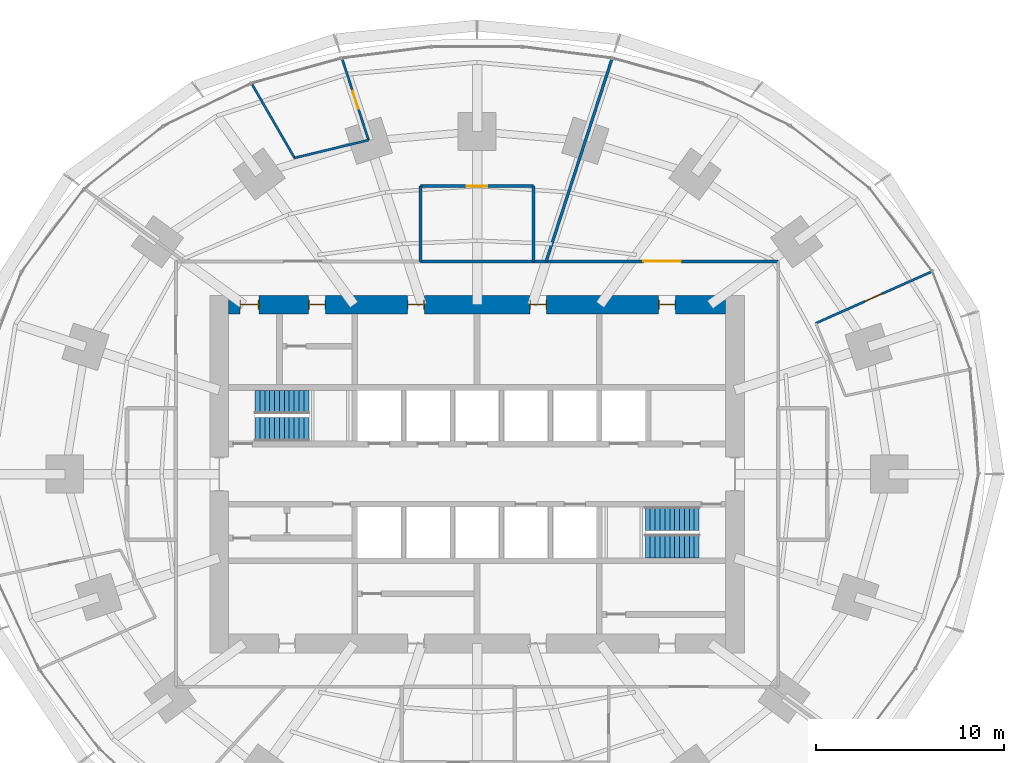
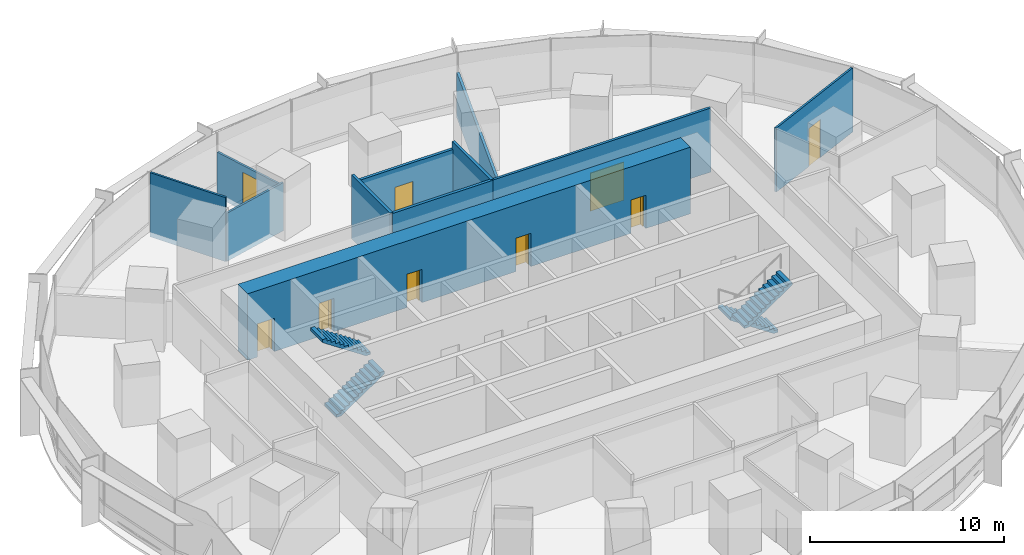
# One storey, part 13 of 15: 11 walls, 9 doors, 4 stair flights, 9 openings, 2 elements without a shape of their own.
"""IFC4 building model written with IfcOpenShell, lengths in metres."""

import ifcopenshell
import ifcopenshell.guid

model = None  # the IFC model being written
_history = None  # IfcOwnerHistory: only IFC2X3 demands one
_inside = {}  # id of a spatial element -> (the spatial element, [elements in it])
_under = {}  # id of a project, library or spatial element -> (it, [spatial elements below it])
_declared = {}  # id of a project -> (the project, [libraries it declares])
_typed = {}  # id of a type object -> (the type object, [elements of that type])
_made_of = {}  # id of a material, layer set ... -> (it, [elements and type objects made of it])


def new_model(schema):
    """Start an empty IFC model of exactly this schema.

    Asked for "IFC4X3", IfcOpenShell would pick the latest addendum, in which some entities
    have other attributes; the version numbers below select the first issue.
    IFC2X3 requires an IfcOwnerHistory on every rooted entity: one is made here for all.
    """
    global model, _history
    if schema == "IFC4X3":
        model = ifcopenshell.file(schema_version=(4, 3, 0, 0))
    else:
        model = ifcopenshell.file(schema=schema)
    _inside.clear()
    _under.clear()
    _declared.clear()
    _typed.clear()
    _made_of.clear()
    _history = None
    if model.schema == "IFC2X3":
        org = make("IfcOrganization", Name="unknown")
        user = make(
            "IfcPersonAndOrganization",
            ThePerson=make("IfcPerson", FamilyName="unknown"),
            TheOrganization=org,
        )
        app = make(
            "IfcApplication",
            ApplicationDeveloper=org,
            Version="unknown",
            ApplicationFullName="unknown",
            ApplicationIdentifier="unknown",
        )
        _history = make(
            "IfcOwnerHistory",
            OwningUser=user,
            OwningApplication=app,
            ChangeAction="ADDED",
            CreationDate=0,
        )
    return model


def make(cls, **values):
    """One entity of the class cls with the attributes given. An attribute that is None is left unset."""
    return model.create_entity(
        cls, **{name: value for name, value in values.items() if value is not None}
    )


def rooted(cls, **values):
    """An entity with a GlobalId (a new one), such as an element, a storey or a relation."""
    return make(cls, GlobalId=ifcopenshell.guid.new(), OwnerHistory=_history, **values)


def si_unit(unit_type, name, prefix=None):
    """IfcSIUnit, for example si_unit("LENGTHUNIT", "METRE", prefix="MILLI")."""
    return make("IfcSIUnit", UnitType=unit_type, Prefix=prefix, Name=name)


def assignment(units):
    """IfcUnitAssignment: the units of a project."""
    return None if units is None else make("IfcUnitAssignment", Units=units)


def point(xyz):
    """IfcCartesianPoint."""
    return None if xyz is None else make("IfcCartesianPoint", Coordinates=xyz)


def direction(xyz):
    """IfcDirection."""
    return None if xyz is None else make("IfcDirection", DirectionRatios=xyz)


def frame(location, z_axis=None, x_axis=None):
    """IfcAxis2Placement3D, a coordinate frame: its origin and axes. An axis left out is left unset."""
    return make(
        "IfcAxis2Placement3D",
        Location=point(location),
        Axis=direction(z_axis),
        RefDirection=direction(x_axis),
    )


def frame_2d(location, x_axis=None):
    """IfcAxis2Placement2D, a coordinate frame in the plane: its origin and x axis."""
    return make(
        "IfcAxis2Placement2D", Location=point(location), RefDirection=direction(x_axis)
    )


def origin():
    """The frame at (0, 0, 0) with its axes left unset."""
    return frame((0.0, 0.0, 0.0))


def place(relative_to, where):
    """IfcLocalPlacement: puts the frame where relative to a parent placement (None: the world)."""
    return make(
        "IfcLocalPlacement", PlacementRelTo=relative_to, RelativePlacement=where
    )


def context(
    kind, dimensions, precision=None, world=None, true_north=None, identifier=None
):
    """IfcGeometricRepresentationContext, for example the 3D "Model" context."""
    return make(
        "IfcGeometricRepresentationContext",
        ContextIdentifier=identifier,
        ContextType=kind,
        CoordinateSpaceDimension=dimensions,
        Precision=precision,
        WorldCoordinateSystem=world,
        TrueNorth=true_north,
    )


def subcontext(parent, identifier, kind, view, scale=None):
    """IfcGeometricRepresentationSubContext, for example "Body" below "Model"."""
    return make(
        "IfcGeometricRepresentationSubContext",
        ContextIdentifier=identifier,
        ContextType=kind,
        ParentContext=parent,
        TargetScale=scale,
        TargetView=view,
    )


def project(units=None, contexts=None):
    """IfcProject with its units and contexts."""
    return rooted(
        "IfcProject",
        Name="project",
        RepresentationContexts=contexts,
        UnitsInContext=assignment(units),
    )


def spatial(cls, under=None, at=None, **own):
    """A site, building, storey or space (cls), placed at a placement, below another one or the project."""
    s = rooted(cls, ObjectPlacement=at, **own)
    if under is not None:
        _under.setdefault(under.id(), (under, []))[1].append(s)
    return s


def polyline(points):
    """IfcPolyline through the points."""
    return make("IfcPolyline", Points=[point(p) for p in points])


def profile(cls, at=None, kind="AREA", **sizes):
    """A parametric profile (cls). Its sizes go by their IFC names, for example OverallWidth=200.0."""
    return make(cls, ProfileType=kind, Position=at, **sizes)


def rectangle(**sizes):
    """IfcRectangleProfileDef."""
    return profile("IfcRectangleProfileDef", **sizes)


def outline(outer, holes=None, kind="AREA"):
    """IfcArbitraryClosedProfileDef: a profile drawn as a closed curve; with holes, ...WithVoids."""
    if holes is None:
        return make("IfcArbitraryClosedProfileDef", ProfileType=kind, OuterCurve=outer)
    return make(
        "IfcArbitraryProfileDefWithVoids",
        ProfileType=kind,
        OuterCurve=outer,
        InnerCurves=holes,
    )


def extrude(swept, where, along, depth):
    """IfcExtrudedAreaSolid: the profile swept, set in the frame where, extruded along a direction by depth."""
    return make(
        "IfcExtrudedAreaSolid",
        SweptArea=swept,
        Position=where,
        ExtrudedDirection=direction(along),
        Depth=depth,
    )


def shape(context_of_items, identifier, shape_type, items):
    """IfcShapeRepresentation: the items that make up one representation, for example the "Body"."""
    return make(
        "IfcShapeRepresentation",
        ContextOfItems=context_of_items,
        RepresentationIdentifier=identifier,
        RepresentationType=shape_type,
        Items=items,
    )


def material(Name=None, Category=None):
    """IfcMaterial."""
    return make("IfcMaterial", Name=Name, Category=Category)


def layer(
    of_material, thickness, ventilated=None, Name=None, Category=None, Priority=None
):
    """IfcMaterialLayer: one layer of a wall or slab, of a material (None: an air gap)."""
    return make(
        "IfcMaterialLayer",
        Material=of_material,
        LayerThickness=thickness,
        IsVentilated=ventilated,
        Name=Name,
        Category=Category,
        Priority=Priority,
    )


def layer_set(layers, Name=None):
    """IfcMaterialLayerSet."""
    return make("IfcMaterialLayerSet", MaterialLayers=layers, LayerSetName=Name)


def made_of(thing, what):
    """Note that an element or type object is made of a material, layer set ...; save() writes the relation."""
    if what is not None:
        _made_of.setdefault(what.id(), (what, []))[1].append(thing)
    return thing


def type_object(cls, material=None, **own):
    """A type object (cls), such as IfcWallType, which elements share."""
    return made_of(rooted(cls, **own), material)


def element(
    cls,
    number,
    at=None,
    inside=None,
    cuts=None,
    type_object=None,
    material=None,
    context=None,
    identifier="Body",
    shape_type=None,
    held_by="IfcProductDefinitionShape",
    body=None,
    shapes=None,
    **own,
):
    """One element of the class cls, such as IfcWall. Its Tag is "e" and its number.

    at: its placement. inside: the storey or other place that contains it. cuts: it is an
    opening in that element (IfcRelVoidsElement). A single representation is given by context,
    identifier, shape_type and body (its items); several are given by shapes. held_by: the class
    of the entity that holds the representations. save() writes the other relations.
    """
    e = rooted(cls, Tag="e%d" % number, ObjectPlacement=at, **own)
    if body is not None:
        shapes = [shape(context, identifier, shape_type, body)]
    if shapes is not None:
        e.Representation = make(held_by, Representations=shapes)
    if inside is not None:
        _inside.setdefault(inside.id(), (inside, []))[1].append(e)
    if cuts is not None:
        rooted(
            "IfcRelVoidsElement", RelatingBuildingElement=cuts, RelatedOpeningElement=e
        )
    if type_object is not None:
        _typed.setdefault(type_object.id(), (type_object, []))[1].append(e)
    return made_of(e, material)


def fill(opening, filler):
    """IfcRelFillsElement: the door or window that sits in an opening."""
    return rooted(
        "IfcRelFillsElement",
        RelatingOpeningElement=opening,
        RelatedBuildingElement=filler,
    )


def aggregate(whole, parts):
    """IfcRelAggregates: a whole, such as a stair, and the parts it consists of."""
    return rooted("IfcRelAggregates", RelatingObject=whole, RelatedObjects=parts)


def save(model, path):
    """Write the relations noted so far, then the file.

    IfcRelAggregates (storeys below a building ...), IfcRelContainedInSpatialStructure (elements
    in a storey), IfcRelDefinesByType, IfcRelAssociatesMaterial and IfcRelDeclares: one each for
    every whole, place, type object, material and project.
    """
    for whole, parts in _under.values():
        aggregate(whole, parts)
    for where, things in _inside.values():
        rooted(
            "IfcRelContainedInSpatialStructure",
            RelatedElements=things,
            RelatingStructure=where,
        )
    for kind, things in _typed.values():
        rooted("IfcRelDefinesByType", RelatedObjects=things, RelatingType=kind)
    for what, things in _made_of.values():
        rooted("IfcRelAssociatesMaterial", RelatedObjects=things, RelatingMaterial=what)
    for by, libraries in _declared.values():
        rooted("IfcRelDeclares", RelatingContext=by, RelatedDefinitions=libraries)
    model.write(path)


model = new_model("IFC4")

# Units and contexts
model_context = context("Model", 3, precision=1e-05, world=origin(), true_north=direction((0.0, 1.0)))
body_context = subcontext(model_context, "Body", "Model", "MODEL_VIEW")
ifc_project = project(units=[si_unit("LENGTHUNIT", "METRE"), si_unit("AREAUNIT", "SQUARE_METRE"), si_unit("VOLUMEUNIT", "CUBIC_METRE"), si_unit("PLANEANGLEUNIT", "RADIAN"), si_unit("MASSUNIT", "GRAM", prefix="KILO")], contexts=[model_context])

# Site, building, storey
site_placement = place(None, origin())
site = spatial("IfcSite", under=ifc_project, at=site_placement, CompositionType="ELEMENT")
building_placement = place(site_placement, origin())
building = spatial("IfcBuilding", under=site, at=building_placement, Name="Marramba Exchange Tower", CompositionType="ELEMENT")
storey_placement = place(building_placement, frame((0.0, 0.0, 65.800048828125)))
storey = spatial("IfcBuildingStorey", under=building, at=storey_placement, Name="L15", CompositionType="ELEMENT", Elevation=65.800048828125)

# Walls
ifc_material_1 = material(Name="Plasterboard on staggered double steel studs, acoustic insulation", Category="steel")
ifc_layer_1 = layer(ifc_material_1, 0.169921875)
ifc_layer_set_1 = layer_set([ifc_layer_1], Name="Acoustic partition 170")
wall_type_1 = type_object("IfcWallType", Name="Acoustic partition 170", PredefinedType="PARTITIONING", material=ifc_layer_set_1)
wall_1_placement = place(storey_placement, frame((3.0, 11.300048828125, 0.0), z_axis=(0.0, 0.0, 1.0), x_axis=(0.0, 1.0, 0.0)))
element("IfcWall", 1, at=wall_1_placement, inside=storey, type_object=wall_type_1, Name="Acoustic partition L15 30", PredefinedType="PARTITIONING", context=body_context, shape_type="SweptSolid", body=[
    extrude(rectangle(XDim=4.0, YDim=0.169921875, at=frame_2d((2.0, 0.0))), origin(), (0.0, 0.0, 1.0), 4.0400390625),
])
wall_2_placement = place(storey_placement, frame((-3.0, 11.300048828125, 0.0), z_axis=(0.0, 0.0, 1.0), x_axis=(1.0, 0.0, 0.0)))
element("IfcWall", 2, at=wall_2_placement, inside=storey, type_object=wall_type_1, Name="Acoustic partition L15 31", PredefinedType="PARTITIONING", context=body_context, shape_type="SweptSolid", body=[
    extrude(rectangle(XDim=6.0, YDim=0.169921875, at=frame_2d((3.0, 0.0))), origin(), (0.0, 0.0, 1.0), 4.0400390625),
])

# Wall, opening, door
wall_3_placement = place(storey_placement, frame((3.0, 15.300048828125, 0.0), z_axis=(0.0, 0.0, 1.0), x_axis=(-1.0, 0.0, 0.0)))
wall_3 = element("IfcWall", 3, at=wall_3_placement, inside=storey, type_object=wall_type_1, Name="Acoustic partition L15 32", PredefinedType="PARTITIONING", context=body_context, shape_type="SweptSolid", body=[
    extrude(rectangle(XDim=6.0, YDim=0.169921875, at=frame_2d((3.0, 0.0))), origin(), (0.0, 0.0, 1.0), 3.5859375),
])
opening_1_placement = place(wall_3_placement, frame((2.449951171875, 0.0, 0.0)))
opening_1 = element("IfcOpeningElement", 4, at=opening_1_placement, cuts=wall_3, Name="Opening D15", PredefinedType="OPENING", context=body_context, shape_type="SweptSolid", body=[
    extrude(rectangle(XDim=1.10009765625, YDim=2.39990234375, at=frame_2d((0.550048828125, 1.199951171875))), frame((0.0, 0.094970703125, 0.0), z_axis=(0.0, -1.0, 0.0), x_axis=(1.0, 0.0, 0.0)), (0.0, 0.0, 1.0), 0.18994140625),
])
ifc_material_2 = material(Name="Timber door", Category="wood")
door_type_1 = type_object("IfcDoorType", Name="Glazed meeting room door 1100x2400", OperationType="SINGLE_SWING_LEFT", PredefinedType="DOOR", material=ifc_material_2)
door_1_placement = place(opening_1_placement, origin())
door_1 = element("IfcDoor", 5, at=door_1_placement, inside=storey, type_object=door_type_1, Name="D15 Meeting Room 1 L15", OperationType="SINGLE_SWING_RIGHT", OverallHeight=2.39990234375, OverallWidth=1.10009765625, PredefinedType="DOOR", context=body_context, shape_type="SweptSolid", body=[
    extrude(rectangle(XDim=1.10009765625, YDim=2.39990234375, at=frame_2d((0.550048828125, 1.199951171875))), frame((0.0, 0.02490234375, 0.0), z_axis=(0.0, -1.0, 0.0), x_axis=(1.0, 0.0, 0.0)), (0.0, 0.0, 1.0), 0.050048828125),
])
fill(opening_1, door_1)

# Wall
wall_4_placement = place(storey_placement, frame((-3.0, 15.300048828125, 0.0), z_axis=(0.0, 0.0, 1.0), x_axis=(0.0, -1.0, 0.0)))
element("IfcWall", 6, at=wall_4_placement, inside=storey, type_object=wall_type_1, Name="Acoustic partition L15 33", PredefinedType="PARTITIONING", context=body_context, shape_type="SweptSolid", body=[
    extrude(rectangle(XDim=4.0, YDim=0.169921875, at=frame_2d((2.0, 0.0))), origin(), (0.0, 0.0, 1.0), 4.0400390625),
])

# Wall, openings, doors
ifc_material_3 = material(Name="Concrete N50", Category="concrete")
ifc_layer_2 = layer(ifc_material_3, 1.0)
ifc_layer_set_2 = layer_set([ifc_layer_2], Name="Core wall 1000")
wall_type_2 = type_object("IfcWallType", Name="Core wall 1000", PredefinedType="SHEAR", material=ifc_layer_set_2)
wall_5_placement = place(storey_placement, frame((13.199951171875, 9.0, 0.0), z_axis=(0.0, 0.0, 1.0), x_axis=(-1.0, 0.0, 0.0)))
wall_5 = element("IfcWall", 7, at=wall_5_placement, inside=storey, type_object=wall_type_2, Name="Core wall N L15", PredefinedType="SHEAR", context=body_context, shape_type="SweptSolid", body=[
    extrude(rectangle(XDim=26.39990234375, YDim=1.0, at=frame_2d((13.199951171875, 0.0))), origin(), (0.0, 0.0, 1.0), 4.199951171875),
])
opening_2_placement = place(wall_5_placement, frame((2.64990234375, 0.0, 0.0)))
opening_2 = element("IfcOpeningElement", 8, at=opening_2_placement, cuts=wall_5, Name="Opening D5", PredefinedType="OPENING", context=body_context, shape_type="SweptSolid", body=[
    extrude(rectangle(XDim=0.89990234375, YDim=2.10009765625, at=frame_2d((0.449951171875, 1.050048828125))), frame((0.0, 0.510009765625, 0.0), z_axis=(0.0, -1.0, 0.0), x_axis=(1.0, 0.0, 0.0)), (0.0, 0.0, 1.0), 1.02001953125),
])
opening_3_placement = place(wall_5_placement, frame((9.5, 0.0, 0.0)))
opening_3 = element("IfcOpeningElement", 9, at=opening_3_placement, cuts=wall_5, Name="Opening D3", PredefinedType="OPENING", context=body_context, shape_type="SweptSolid", body=[
    extrude(rectangle(XDim=0.89990234375, YDim=2.10009765625, at=frame_2d((0.449951171875, 1.050048828125))), frame((0.0, 0.510009765625, 0.0), z_axis=(0.0, -1.0, 0.0), x_axis=(1.0, 0.0, 0.0)), (0.0, 0.0, 1.0), 1.02001953125),
])
opening_4_placement = place(wall_5_placement, frame((16.0, 0.0, 0.0)))
opening_4 = element("IfcOpeningElement", 10, at=opening_4_placement, cuts=wall_5, Name="Opening D3", PredefinedType="OPENING", context=body_context, shape_type="SweptSolid", body=[
    extrude(rectangle(XDim=0.89990234375, YDim=2.10009765625, at=frame_2d((0.449951171875, 1.050048828125))), frame((0.0, 0.510009765625, 0.0), z_axis=(0.0, -1.0, 0.0), x_axis=(1.0, 0.0, 0.0)), (0.0, 0.0, 1.0), 1.02001953125),
])
opening_5_placement = place(wall_5_placement, frame((21.25, 0.0, 0.0)))
opening_5 = element("IfcOpeningElement", 11, at=opening_5_placement, cuts=wall_5, Name="Opening D5", PredefinedType="OPENING", context=body_context, shape_type="SweptSolid", body=[
    extrude(rectangle(XDim=0.89990234375, YDim=2.10009765625, at=frame_2d((0.449951171875, 1.050048828125))), frame((0.0, 0.510009765625, 0.0), z_axis=(0.0, -1.0, 0.0), x_axis=(1.0, 0.0, 0.0)), (0.0, 0.0, 1.0), 1.02001953125),
])
opening_6_placement = place(wall_5_placement, frame((24.800048828125, 0.0, 0.0)))
opening_6 = element("IfcOpeningElement", 12, at=opening_6_placement, cuts=wall_5, Name="Opening D4", PredefinedType="OPENING", context=body_context, shape_type="SweptSolid", body=[
    extrude(rectangle(XDim=1.0, YDim=2.10009765625, at=frame_2d((0.5, 1.050048828125))), frame((0.0, 0.510009765625, 0.0), z_axis=(0.0, -1.0, 0.0), x_axis=(1.0, 0.0, 0.0)), (0.0, 0.0, 1.0), 1.02001953125),
])
ifc_material_4 = material(Name="Steel-framed door", Category="steel")
door_type_2 = type_object("IfcDoorType", Name="Accessible toilet door 1000x2100", OperationType="SINGLE_SWING_LEFT", PredefinedType="DOOR", material=ifc_material_4)
door_2_placement = place(opening_6_placement, origin())
door_2 = element("IfcDoor", 13, at=door_2_placement, inside=storey, type_object=door_type_2, Name="D4 awc L15", OperationType="SINGLE_SWING_RIGHT", OverallHeight=2.10009765625, OverallWidth=1.0, PredefinedType="DOOR", context=body_context, shape_type="SweptSolid", body=[
    extrude(rectangle(XDim=0.919921875, YDim=2.06005859375, at=frame_2d((0.5, 1.030029296875))), frame((0.0, 0.02490234375, 0.0), z_axis=(0.0, -1.0, 0.0), x_axis=(1.0, 0.0, 0.0)), (0.0, 0.0, 1.0), 0.050048828125),
    extrude(rectangle(XDim=0.04, YDim=2.10009765625, at=frame_2d((0.02001953125, 1.050048828125))), frame((0.0, 0.25, 0.0), z_axis=(0.0, -1.0, 0.0), x_axis=(1.0, 0.0, 0.0)), (0.0, 0.0, 1.0), 0.5),
    extrude(rectangle(XDim=0.04, YDim=2.10009765625, at=frame_2d((0.97998046875, 1.050048828125))), frame((0.0, 0.25, 0.0), z_axis=(0.0, -1.0, 0.0), x_axis=(1.0, 0.0, 0.0)), (0.0, 0.0, 1.0), 0.5),
    extrude(rectangle(XDim=0.919921875, YDim=0.04, at=frame_2d((0.5, 2.080078125))), frame((0.0, 0.25, 0.0), z_axis=(0.0, -1.0, 0.0), x_axis=(1.0, 0.0, 0.0)), (0.0, 0.0, 1.0), 0.5),
])
fill(opening_6, door_2)
door_type_3 = type_object("IfcDoorType", Name="Service door 900x2100", OperationType="SINGLE_SWING_LEFT", PredefinedType="DOOR", material=ifc_material_4)
door_3_placement = place(opening_2_placement, origin())
door_3 = element("IfcDoor", 14, at=door_3_placement, inside=storey, type_object=door_type_3, Name="D5 comms L15", OperationType="SINGLE_SWING_LEFT", OverallHeight=2.10009765625, OverallWidth=0.89990234375, PredefinedType="DOOR", context=body_context, shape_type="SweptSolid", body=[
    extrude(rectangle(XDim=0.81982421875, YDim=2.06005859375, at=frame_2d((0.449951171875, 1.030029296875))), frame((0.0, 0.02490234375, 0.0), z_axis=(0.0, -1.0, 0.0), x_axis=(1.0, 0.0, 0.0)), (0.0, 0.0, 1.0), 0.050048828125),
    extrude(rectangle(XDim=0.04, YDim=2.10009765625, at=frame_2d((0.02001953125, 1.050048828125))), frame((0.0, 0.25, 0.0), z_axis=(0.0, -1.0, 0.0), x_axis=(1.0, 0.0, 0.0)), (0.0, 0.0, 1.0), 0.5),
    extrude(rectangle(XDim=0.04, YDim=2.10009765625, at=frame_2d((0.8798828125, 1.050048828125))), frame((0.0, 0.25, 0.0), z_axis=(0.0, -1.0, 0.0), x_axis=(1.0, 0.0, 0.0)), (0.0, 0.0, 1.0), 0.5),
    extrude(rectangle(XDim=0.81982421875, YDim=0.04, at=frame_2d((0.449951171875, 2.080078125))), frame((0.0, 0.25, 0.0), z_axis=(0.0, -1.0, 0.0), x_axis=(1.0, 0.0, 0.0)), (0.0, 0.0, 1.0), 0.5),
])
fill(opening_2, door_3)
door_4_placement = place(opening_5_placement, origin())
door_4 = element("IfcDoor", 15, at=door_4_placement, inside=storey, type_object=door_type_3, Name="D5 cleaner L15", OperationType="SINGLE_SWING_RIGHT", OverallHeight=2.10009765625, OverallWidth=0.89990234375, PredefinedType="DOOR", context=body_context, shape_type="SweptSolid", body=[
    extrude(rectangle(XDim=0.81982421875, YDim=2.06005859375, at=frame_2d((0.449951171875, 1.030029296875))), frame((0.0, 0.02490234375, 0.0), z_axis=(0.0, -1.0, 0.0), x_axis=(1.0, 0.0, 0.0)), (0.0, 0.0, 1.0), 0.050048828125),
    extrude(rectangle(XDim=0.04, YDim=2.10009765625, at=frame_2d((0.02001953125, 1.050048828125))), frame((0.0, 0.25, 0.0), z_axis=(0.0, -1.0, 0.0), x_axis=(1.0, 0.0, 0.0)), (0.0, 0.0, 1.0), 0.5),
    extrude(rectangle(XDim=0.04, YDim=2.10009765625, at=frame_2d((0.8798828125, 1.050048828125))), frame((0.0, 0.25, 0.0), z_axis=(0.0, -1.0, 0.0), x_axis=(1.0, 0.0, 0.0)), (0.0, 0.0, 1.0), 0.5),
    extrude(rectangle(XDim=0.81982421875, YDim=0.04, at=frame_2d((0.449951171875, 2.080078125))), frame((0.0, 0.25, 0.0), z_axis=(0.0, -1.0, 0.0), x_axis=(1.0, 0.0, 0.0)), (0.0, 0.0, 1.0), 0.5),
])
fill(opening_5, door_4)
door_type_4 = type_object("IfcDoorType", Name="Toilet door 900x2100", OperationType="SINGLE_SWING_LEFT", PredefinedType="DOOR", material=ifc_material_4)
door_5_placement = place(opening_3_placement, origin())
door_5 = element("IfcDoor", 16, at=door_5_placement, inside=storey, type_object=door_type_4, Name="D3 wc-f L15", OperationType="SINGLE_SWING_RIGHT", OverallHeight=2.10009765625, OverallWidth=0.89990234375, PredefinedType="DOOR", context=body_context, shape_type="SweptSolid", body=[
    extrude(rectangle(XDim=0.81982421875, YDim=2.06005859375, at=frame_2d((0.449951171875, 1.030029296875))), frame((0.0, 0.02490234375, 0.0), z_axis=(0.0, -1.0, 0.0), x_axis=(1.0, 0.0, 0.0)), (0.0, 0.0, 1.0), 0.050048828125),
    extrude(rectangle(XDim=0.04, YDim=2.10009765625, at=frame_2d((0.02001953125, 1.050048828125))), frame((0.0, 0.25, 0.0), z_axis=(0.0, -1.0, 0.0), x_axis=(1.0, 0.0, 0.0)), (0.0, 0.0, 1.0), 0.5),
    extrude(rectangle(XDim=0.04, YDim=2.10009765625, at=frame_2d((0.8798828125, 1.050048828125))), frame((0.0, 0.25, 0.0), z_axis=(0.0, -1.0, 0.0), x_axis=(1.0, 0.0, 0.0)), (0.0, 0.0, 1.0), 0.5),
    extrude(rectangle(XDim=0.81982421875, YDim=0.04, at=frame_2d((0.449951171875, 2.080078125))), frame((0.0, 0.25, 0.0), z_axis=(0.0, -1.0, 0.0), x_axis=(1.0, 0.0, 0.0)), (0.0, 0.0, 1.0), 0.5),
])
fill(opening_3, door_5)
door_6_placement = place(opening_4_placement, origin())
door_6 = element("IfcDoor", 17, at=door_6_placement, inside=storey, type_object=door_type_4, Name="D3 wc-m L15", OperationType="SINGLE_SWING_RIGHT", OverallHeight=2.10009765625, OverallWidth=0.89990234375, PredefinedType="DOOR", context=body_context, shape_type="SweptSolid", body=[
    extrude(rectangle(XDim=0.81982421875, YDim=2.06005859375, at=frame_2d((0.449951171875, 1.030029296875))), frame((0.0, 0.02490234375, 0.0), z_axis=(0.0, -1.0, 0.0), x_axis=(1.0, 0.0, 0.0)), (0.0, 0.0, 1.0), 0.050048828125),
    extrude(rectangle(XDim=0.04, YDim=2.10009765625, at=frame_2d((0.02001953125, 1.050048828125))), frame((0.0, 0.25, 0.0), z_axis=(0.0, -1.0, 0.0), x_axis=(1.0, 0.0, 0.0)), (0.0, 0.0, 1.0), 0.5),
    extrude(rectangle(XDim=0.04, YDim=2.10009765625, at=frame_2d((0.8798828125, 1.050048828125))), frame((0.0, 0.25, 0.0), z_axis=(0.0, -1.0, 0.0), x_axis=(1.0, 0.0, 0.0)), (0.0, 0.0, 1.0), 0.5),
    extrude(rectangle(XDim=0.81982421875, YDim=0.04, at=frame_2d((0.449951171875, 2.080078125))), frame((0.0, 0.25, 0.0), z_axis=(0.0, -1.0, 0.0), x_axis=(1.0, 0.0, 0.0)), (0.0, 0.0, 1.0), 0.5),
])
fill(opening_4, door_6)

# Wall, opening, door
ifc_material_5 = material(Name="Plasterboard on steel studs", Category="steel")
ifc_layer_3 = layer(ifc_material_5, 0.1201171875)
ifc_layer_set_3 = layer_set([ifc_layer_3], Name="Partition 120")
wall_type_3 = type_object("IfcWallType", Name="Partition 120", PredefinedType="PARTITIONING", material=ifc_layer_set_3)
wall_6_placement = place(storey_placement, frame((24.12353515625, 10.740478515625, 0.0), z_axis=(0.0, 0.0, 1.0), x_axis=(-0.91354990356, -0.406726657235, 0.0)))
wall_6 = element("IfcWall", 18, at=wall_6_placement, inside=storey, type_object=wall_type_3, Name="Partition L15 26", PredefinedType="PARTITIONING", context=body_context, shape_type="SweptSolid", body=[
    extrude(rectangle(XDim=6.699951171875, YDim=0.1201171875, at=frame_2d((3.35009765625, 0.0))), origin(), (0.0, 0.0, 1.0), 4.0400390625),
])
opening_7_placement = place(wall_6_placement, frame((2.85009765625, 0.0, 0.0)))
opening_7 = element("IfcOpeningElement", 19, at=opening_7_placement, cuts=wall_6, Name="Opening D9", PredefinedType="OPENING", context=body_context, shape_type="SweptSolid", body=[
    extrude(rectangle(XDim=1.0, YDim=2.39990234375, at=frame_2d((0.5, 1.199951171875))), frame((0.0, 0.070068359375, 0.0), z_axis=(0.0, -1.0, 0.0), x_axis=(1.0, 0.0, 0.0)), (0.0, 0.0, 1.0), 0.14013671875),
])
door_type_5 = type_object("IfcDoorType", Name="Room door 1000x2400", OperationType="SINGLE_SWING_LEFT", PredefinedType="DOOR", material=ifc_material_2)
door_7_placement = place(opening_7_placement, origin())
door_7 = element("IfcDoor", 20, at=door_7_placement, inside=storey, type_object=door_type_5, Name="D9 Firm Principal Office 4 L15", OperationType="SINGLE_SWING_RIGHT", OverallHeight=2.39990234375, OverallWidth=1.0, PredefinedType="DOOR", context=body_context, shape_type="SweptSolid", body=[
    extrude(rectangle(XDim=1.0, YDim=2.39990234375, at=frame_2d((0.5, 1.199951171875))), frame((0.0, 0.02490234375, 0.0), z_axis=(0.0, -1.0, 0.0), x_axis=(1.0, 0.0, 0.0)), (0.0, 0.0, 1.0), 0.050048828125),
])
fill(opening_7, door_7)

wall_7_placement = place(storey_placement, frame((-5.76611328125, 17.74658203125, 0.0), z_axis=(0.0, 0.0, 1.0), x_axis=(-0.309024734286, 0.951054001411, 0.0)))
wall_7 = element("IfcWall", 21, at=wall_7_placement, inside=storey, type_object=wall_type_3, Name="Partition L15 34", PredefinedType="PARTITIONING", context=body_context, shape_type="SweptSolid", body=[
    extrude(rectangle(XDim=4.5, YDim=0.1201171875, at=frame_2d((2.25, 0.0))), origin(), (0.0, 0.0, 1.0), 2.83984375),
])
opening_8_placement = place(wall_7_placement, frame((1.75, 0.0, 0.0)))
opening_8 = element("IfcOpeningElement", 22, at=opening_8_placement, cuts=wall_7, Name="Opening D9", PredefinedType="OPENING", context=body_context, shape_type="SweptSolid", body=[
    extrude(rectangle(XDim=1.0, YDim=2.39990234375, at=frame_2d((0.5, 1.199951171875))), frame((0.0, 0.070068359375, 0.0), z_axis=(0.0, -1.0, 0.0), x_axis=(1.0, 0.0, 0.0)), (0.0, 0.0, 1.0), 0.14013671875),
])
door_8_placement = place(opening_8_placement, origin())
door_8 = element("IfcDoor", 23, at=door_8_placement, inside=storey, type_object=door_type_5, Name="D9 Firm Principal Office 1 L15", OperationType="SINGLE_SWING_LEFT", OverallHeight=2.39990234375, OverallWidth=1.0, PredefinedType="DOOR", context=body_context, shape_type="SweptSolid", body=[
    extrude(rectangle(XDim=1.0, YDim=2.39990234375, at=frame_2d((0.5, 1.199951171875))), frame((0.0, 0.02490234375, 0.0), z_axis=(0.0, -1.0, 0.0), x_axis=(1.0, 0.0, 0.0)), (0.0, 0.0, 1.0), 0.050048828125),
])
fill(opening_8, door_8)

# Walls
wall_8_placement = place(storey_placement, frame((-9.69921875, 16.7998046875, 0.0), z_axis=(0.0, 0.0, 1.0), x_axis=(0.972228214525, 0.23403482408, 0.0)))
element("IfcWall", 24, at=wall_8_placement, inside=storey, type_object=wall_type_3, Name="Partition L15 35", PredefinedType="PARTITIONING", context=body_context, shape_type="SweptSolid", body=[
    extrude(rectangle(XDim=4.04541015625, YDim=0.1201171875, at=frame_2d((2.022705078125, 0.0))), origin(), (0.0, 0.0, 1.0), 3.0400390625),
])
wall_9_placement = place(storey_placement, frame((-11.94921875, 20.69677734375, 0.0), z_axis=(0.0, 0.0, 1.0), x_axis=(0.500013631625, -0.866017533419, 0.0)))
element("IfcWall", 25, at=wall_9_placement, inside=storey, type_object=wall_type_3, Name="Partition L15 36", PredefinedType="PARTITIONING", context=body_context, shape_type="SweptSolid", body=[
    extrude(rectangle(XDim=4.499755859375, YDim=0.1201171875, at=frame_2d((2.25, 0.0))), origin(), (0.0, 0.0, 1.0), 4.0400390625),
])

# Wall, opening, door
ifc_material_6 = material(Name="Fire-rated plasterboard on steel studs, acoustic insulation", Category="steel")
ifc_layer_4 = layer(ifc_material_6, 0.14990234375)
ifc_layer_set_4 = layer_set([ifc_layer_4], Name="Tenancy wall 150")
wall_type_4 = type_object("IfcWallType", Name="Tenancy wall 150", PredefinedType="PARTITIONING", material=ifc_layer_set_4)
wall_10_placement = place(storey_placement, frame((16.0, 11.300048828125, 0.0), z_axis=(0.0, 0.0, 1.0), x_axis=(-1.0, 0.0, 0.0)))
wall_10 = element("IfcWall", 26, at=wall_10_placement, inside=storey, type_object=wall_type_4, Name="Tenancy wall L15 28", PredefinedType="PARTITIONING", context=body_context, shape_type="SweptSolid", body=[
    extrude(rectangle(XDim=13.0, YDim=0.14990234375, at=frame_2d((6.5, 0.0))), origin(), (0.0, 0.0, 1.0), 4.0400390625),
])
opening_9_placement = place(wall_10_placement, frame((5.1640625, 0.0, 0.0)))
opening_9 = element("IfcOpeningElement", 27, at=opening_9_placement, cuts=wall_10, Name="Opening D17", PredefinedType="OPENING", context=body_context, shape_type="SweptSolid", body=[
    extrude(rectangle(XDim=2.0, YDim=2.39990234375, at=frame_2d((1.0, 1.199951171875))), frame((0.0, 0.0849609375, 0.0), z_axis=(0.0, -1.0, 0.0), x_axis=(1.0, 0.0, 0.0)), (0.0, 0.0, 1.0), 0.169921875),
])
door_type_6 = type_object("IfcDoorType", Name="Trading floor entry door pair 2000x2400", OperationType="DOUBLE_DOOR_SINGLE_SWING", PredefinedType="DOOR", material=ifc_material_4)
door_9_placement = place(opening_9_placement, origin())
door_9 = element("IfcDoor", 28, at=door_9_placement, inside=storey, type_object=door_type_6, Name="D17 Trading Floor 4 L15", OperationType="DOUBLE_DOOR_SINGLE_SWING", OverallHeight=2.39990234375, OverallWidth=2.0, PredefinedType="DOOR", context=body_context, shape_type="SweptSolid", body=[
    extrude(rectangle(XDim=2.0, YDim=2.39990234375, at=frame_2d((1.0, 1.199951171875))), frame((0.0, 0.02490234375, 0.0), z_axis=(0.0, -1.0, 0.0), x_axis=(1.0, 0.0, 0.0)), (0.0, 0.0, 1.0), 0.050048828125),
])
fill(opening_9, door_9)

# Wall
wall_11_placement = place(storey_placement, frame((7.15673828125, 22.0263671875, 0.0), z_axis=(0.0, 0.0, 1.0), x_axis=(-0.309010203018, -0.951058722914, 0.0)))
element("IfcWall", 29, at=wall_11_placement, inside=storey, type_object=wall_type_4, Name="Tenancy wall L15 29", PredefinedType="PARTITIONING", context=body_context, shape_type="SweptSolid", body=[
    extrude(rectangle(XDim=11.2783203125, YDim=0.14990234375, at=frame_2d((5.63916015625, 0.0))), origin(), (0.0, 0.0, 1.0), 2.83984375),
])

# Stair, stair flights
ifc_material_7 = material(Name="Concrete N40 (40 MPa)", Category="concrete")
stair_type_1 = type_object("IfcStairType", Name="Exit stair ST1 4200 x 1250", PredefinedType="HALF_TURN_STAIR", material=ifc_material_7)
stair_1_placement = place(storey_placement, origin())
stair_1 = element("IfcStair", 30, at=stair_1_placement, inside=storey, type_object=stair_type_1, Name="Exit stair ST1 L15", PredefinedType="HALF_TURN_STAIR")
stair_flight_type_1 = type_object("IfcStairFlightType", Name="ST1 stair flight 1750 riser 1250 wide", PredefinedType="STRAIGHT", material=ifc_material_7)
stair_flight_1_placement = place(storey_placement, frame((-11.800048828125, 2.375, 0.0), z_axis=(0.0, 0.0, 1.0), x_axis=(1.0, 0.0, 0.0)))
stair_flight_1 = element("IfcStairFlight", 31, at=stair_flight_1_placement, type_object=stair_flight_type_1, Name="ST1 flight 1", NumberOfRisers=12, NumberOfTreads=11, PredefinedType="STRAIGHT", RiserHeight=0.175, TreadLength=0.26, context=body_context, shape_type="SweptSolid", body=[
    extrude(outline(polyline([(0.0, 0.0), (0.0, 0.175048828125), (0.260009765625, 0.175048828125), (0.260009765625, 0.35009765625), (0.52001953125, 0.35009765625), (0.52001953125, 0.52490234375), (0.780029296875, 0.52490234375), (0.780029296875, 0.699951171875), (1.0400390625, 0.699951171875), (1.0400390625, 0.875), (1.300048828125, 0.875), (1.300048828125, 1.050048828125), (1.56005859375, 1.050048828125), (1.56005859375, 1.22509765625), (1.820068359375, 1.22509765625), (1.820068359375, 1.39990234375), (2.080078125, 1.39990234375), (2.080078125, 1.574951171875), (2.340087890625, 1.574951171875), (2.340087890625, 1.75), (2.60009765625, 1.75), (2.60009765625, 1.925048828125), (2.860107421875, 1.925048828125), (2.860107421875, 2.10009765625), (2.860107421875, 1.744384765625), (0.2685546875, 0.0), (0.0, 0.0)])), frame((0.0, 0.625, 0.0), z_axis=(0.0, -1.0, 0.0), x_axis=(1.0, 0.0, 0.0)), (0.0, 0.0, 1.0), 1.25),
])
stair_flight_2_placement = place(storey_placement, frame((-8.93994140625, 3.824951171875, 2.099853515625), z_axis=(0.0, 0.0, 1.0), x_axis=(-1.0, 0.0, 0.0)))
stair_flight_2 = element("IfcStairFlight", 32, at=stair_flight_2_placement, type_object=stair_flight_type_1, Name="ST1 flight 2", NumberOfRisers=12, NumberOfTreads=11, PredefinedType="STRAIGHT", RiserHeight=0.175, TreadLength=0.26, context=body_context, shape_type="SweptSolid", body=[
    extrude(outline(polyline([(0.0, 0.0), (0.0, 0.175048828125), (0.260009765625, 0.175048828125), (0.260009765625, 0.35009765625), (0.52001953125, 0.35009765625), (0.52001953125, 0.52490234375), (0.780029296875, 0.52490234375), (0.780029296875, 0.699951171875), (1.0400390625, 0.699951171875), (1.0400390625, 0.875), (1.300048828125, 0.875), (1.300048828125, 1.050048828125), (1.56005859375, 1.050048828125), (1.56005859375, 1.22509765625), (1.820068359375, 1.22509765625), (1.820068359375, 1.39990234375), (2.080078125, 1.39990234375), (2.080078125, 1.574951171875), (2.340087890625, 1.574951171875), (2.340087890625, 1.75), (2.60009765625, 1.75), (2.60009765625, 1.925048828125), (2.860107421875, 1.925048828125), (2.860107421875, 2.10009765625), (2.860107421875, 1.744384765625), (0.2685546875, 0.0), (0.0, 0.0)])), frame((0.0, 0.625, 0.0), z_axis=(0.0, -1.0, 0.0), x_axis=(1.0, 0.0, 0.0)), (0.0, 0.0, 1.0), 1.25),
])
aggregate(stair_1, [stair_flight_1, stair_flight_2])

stair_type_2 = type_object("IfcStairType", Name="Exit stair ST2 4200 x 1250", PredefinedType="HALF_TURN_STAIR", material=ifc_material_7)
stair_2_placement = place(storey_placement, origin())
stair_2 = element("IfcStair", 33, at=stair_2_placement, inside=storey, type_object=stair_type_2, Name="Exit stair ST2 L15", PredefinedType="HALF_TURN_STAIR")
stair_flight_type_2 = type_object("IfcStairFlightType", Name="ST2 stair flight 1750 riser 1250 wide", PredefinedType="STRAIGHT", material=ifc_material_7)
stair_flight_3_placement = place(storey_placement, frame((11.800048828125, -2.375, 0.0), z_axis=(0.0, 0.0, 1.0), x_axis=(-1.0, 0.0, 0.0)))
stair_flight_3 = element("IfcStairFlight", 34, at=stair_flight_3_placement, type_object=stair_flight_type_2, Name="ST2 flight 1", NumberOfRisers=12, NumberOfTreads=11, PredefinedType="STRAIGHT", RiserHeight=0.175, TreadLength=0.26, context=body_context, shape_type="SweptSolid", body=[
    extrude(outline(polyline([(0.0, 0.0), (0.0, 0.175048828125), (0.260009765625, 0.175048828125), (0.260009765625, 0.35009765625), (0.52001953125, 0.35009765625), (0.52001953125, 0.52490234375), (0.780029296875, 0.52490234375), (0.780029296875, 0.699951171875), (1.0400390625, 0.699951171875), (1.0400390625, 0.875), (1.300048828125, 0.875), (1.300048828125, 1.050048828125), (1.56005859375, 1.050048828125), (1.56005859375, 1.22509765625), (1.820068359375, 1.22509765625), (1.820068359375, 1.39990234375), (2.080078125, 1.39990234375), (2.080078125, 1.574951171875), (2.340087890625, 1.574951171875), (2.340087890625, 1.75), (2.60009765625, 1.75), (2.60009765625, 1.925048828125), (2.860107421875, 1.925048828125), (2.860107421875, 2.10009765625), (2.860107421875, 1.744384765625), (0.2685546875, 0.0), (0.0, 0.0)])), frame((0.0, 0.625, 0.0), z_axis=(0.0, -1.0, 0.0), x_axis=(1.0, 0.0, 0.0)), (0.0, 0.0, 1.0), 1.25),
])
stair_flight_4_placement = place(storey_placement, frame((8.93994140625, -3.824951171875, 2.099853515625), z_axis=(0.0, 0.0, 1.0), x_axis=(1.0, 0.0, 0.0)))
stair_flight_4 = element("IfcStairFlight", 35, at=stair_flight_4_placement, type_object=stair_flight_type_2, Name="ST2 flight 2", NumberOfRisers=12, NumberOfTreads=11, PredefinedType="STRAIGHT", RiserHeight=0.175, TreadLength=0.26, context=body_context, shape_type="SweptSolid", body=[
    extrude(outline(polyline([(0.0, 0.0), (0.0, 0.175048828125), (0.260009765625, 0.175048828125), (0.260009765625, 0.35009765625), (0.52001953125, 0.35009765625), (0.52001953125, 0.52490234375), (0.780029296875, 0.52490234375), (0.780029296875, 0.699951171875), (1.0400390625, 0.699951171875), (1.0400390625, 0.875), (1.300048828125, 0.875), (1.300048828125, 1.050048828125), (1.56005859375, 1.050048828125), (1.56005859375, 1.22509765625), (1.820068359375, 1.22509765625), (1.820068359375, 1.39990234375), (2.080078125, 1.39990234375), (2.080078125, 1.574951171875), (2.340087890625, 1.574951171875), (2.340087890625, 1.75), (2.60009765625, 1.75), (2.60009765625, 1.925048828125), (2.860107421875, 1.925048828125), (2.860107421875, 2.10009765625), (2.860107421875, 1.744384765625), (0.2685546875, 0.0), (0.0, 0.0)])), frame((0.0, 0.625, 0.0), z_axis=(0.0, -1.0, 0.0), x_axis=(1.0, 0.0, 0.0)), (0.0, 0.0, 1.0), 1.25),
])
aggregate(stair_2, [stair_flight_3, stair_flight_4])

save(model, "model.ifc")
